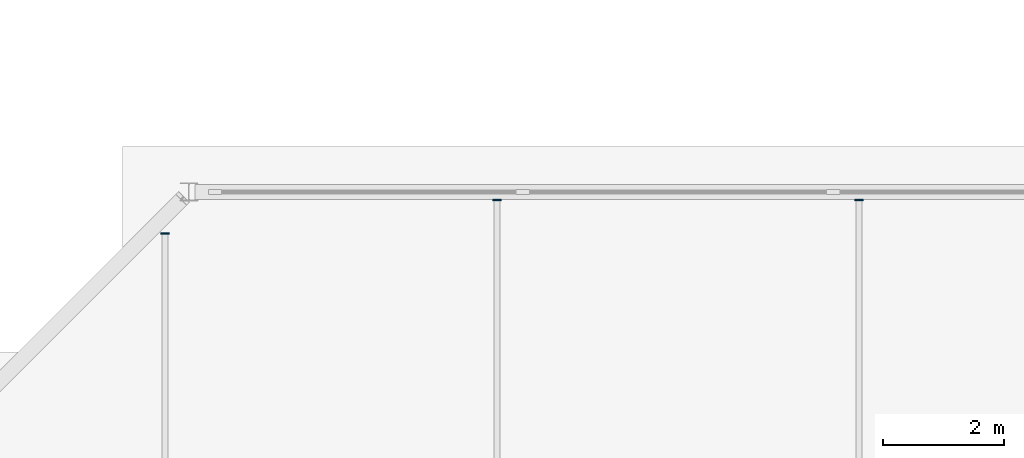
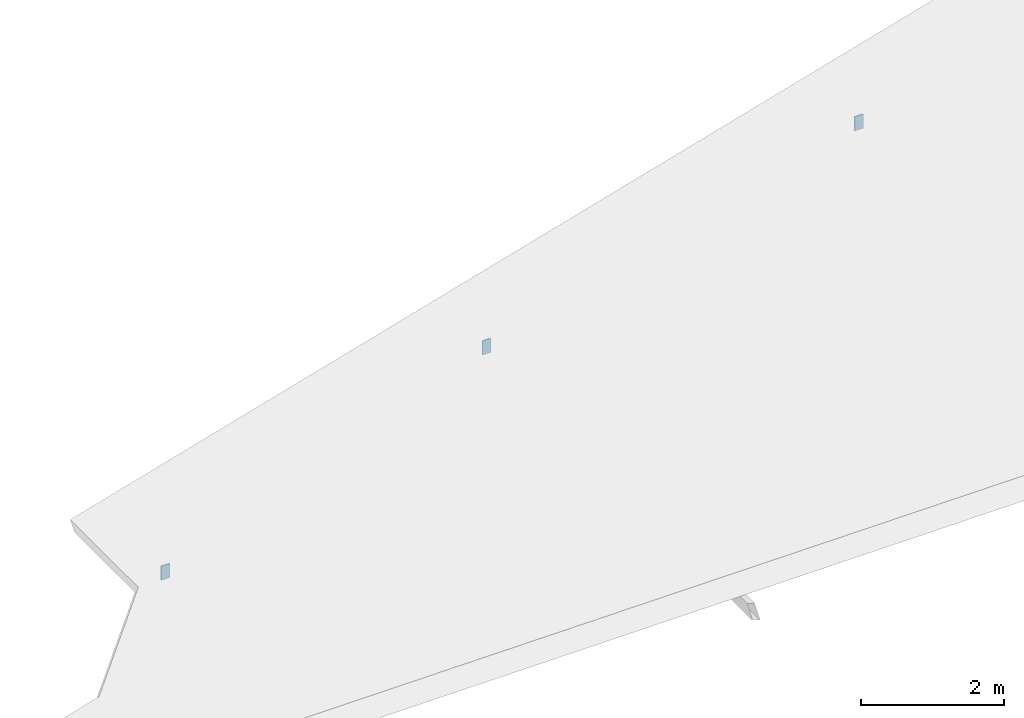
# One storey, part 18 of 28: 3 plates.
"""IFC4 building model written with IfcOpenShell, lengths in metres."""

import ifcopenshell
import ifcopenshell.guid

model = None  # the IFC model being written
_history = None  # IfcOwnerHistory: only IFC2X3 demands one
_inside = {}  # id of a spatial element -> (the spatial element, [elements in it])
_under = {}  # id of a project, library or spatial element -> (it, [spatial elements below it])
_declared = {}  # id of a project -> (the project, [libraries it declares])
_typed = {}  # id of a type object -> (the type object, [elements of that type])
_made_of = {}  # id of a material, layer set ... -> (it, [elements and type objects made of it])


def new_model(schema):
    """Start an empty IFC model of exactly this schema.

    Asked for "IFC4X3", IfcOpenShell would pick the latest addendum, in which some entities
    have other attributes; the version numbers below select the first issue.
    IFC2X3 requires an IfcOwnerHistory on every rooted entity: one is made here for all.
    """
    global model, _history
    if schema == "IFC4X3":
        model = ifcopenshell.file(schema_version=(4, 3, 0, 0))
    else:
        model = ifcopenshell.file(schema=schema)
    _inside.clear()
    _under.clear()
    _declared.clear()
    _typed.clear()
    _made_of.clear()
    _history = None
    if model.schema == "IFC2X3":
        org = make("IfcOrganization", Name="unknown")
        user = make(
            "IfcPersonAndOrganization",
            ThePerson=make("IfcPerson", FamilyName="unknown"),
            TheOrganization=org,
        )
        app = make(
            "IfcApplication",
            ApplicationDeveloper=org,
            Version="unknown",
            ApplicationFullName="unknown",
            ApplicationIdentifier="unknown",
        )
        _history = make(
            "IfcOwnerHistory",
            OwningUser=user,
            OwningApplication=app,
            ChangeAction="ADDED",
            CreationDate=0,
        )
    return model


def make(cls, **values):
    """One entity of the class cls with the attributes given. An attribute that is None is left unset."""
    return model.create_entity(
        cls, **{name: value for name, value in values.items() if value is not None}
    )


def rooted(cls, **values):
    """An entity with a GlobalId (a new one), such as an element, a storey or a relation."""
    return make(cls, GlobalId=ifcopenshell.guid.new(), OwnerHistory=_history, **values)


def si_unit(unit_type, name, prefix=None):
    """IfcSIUnit, for example si_unit("LENGTHUNIT", "METRE", prefix="MILLI")."""
    return make("IfcSIUnit", UnitType=unit_type, Prefix=prefix, Name=name)


def assignment(units):
    """IfcUnitAssignment: the units of a project."""
    return None if units is None else make("IfcUnitAssignment", Units=units)


def point(xyz):
    """IfcCartesianPoint."""
    return None if xyz is None else make("IfcCartesianPoint", Coordinates=xyz)


def direction(xyz):
    """IfcDirection."""
    return None if xyz is None else make("IfcDirection", DirectionRatios=xyz)


def frame(location, z_axis=None, x_axis=None):
    """IfcAxis2Placement3D, a coordinate frame: its origin and axes. An axis left out is left unset."""
    return make(
        "IfcAxis2Placement3D",
        Location=point(location),
        Axis=direction(z_axis),
        RefDirection=direction(x_axis),
    )


def frame_2d(location, x_axis=None):
    """IfcAxis2Placement2D, a coordinate frame in the plane: its origin and x axis."""
    return make(
        "IfcAxis2Placement2D", Location=point(location), RefDirection=direction(x_axis)
    )


def origin():
    """The frame at (0, 0, 0) with its axes left unset."""
    return frame((0.0, 0.0, 0.0))


def origin_2d():
    """The frame at (0, 0) in the plane with its x axis left unset."""
    return frame_2d((0.0, 0.0))


def place(relative_to, where):
    """IfcLocalPlacement: puts the frame where relative to a parent placement (None: the world)."""
    return make(
        "IfcLocalPlacement", PlacementRelTo=relative_to, RelativePlacement=where
    )


def context(
    kind, dimensions, precision=None, world=None, true_north=None, identifier=None
):
    """IfcGeometricRepresentationContext, for example the 3D "Model" context."""
    return make(
        "IfcGeometricRepresentationContext",
        ContextIdentifier=identifier,
        ContextType=kind,
        CoordinateSpaceDimension=dimensions,
        Precision=precision,
        WorldCoordinateSystem=world,
        TrueNorth=true_north,
    )


def subcontext(parent, identifier, kind, view, scale=None):
    """IfcGeometricRepresentationSubContext, for example "Body" below "Model"."""
    return make(
        "IfcGeometricRepresentationSubContext",
        ContextIdentifier=identifier,
        ContextType=kind,
        ParentContext=parent,
        TargetScale=scale,
        TargetView=view,
    )


def project(units=None, contexts=None):
    """IfcProject with its units and contexts."""
    return rooted(
        "IfcProject",
        Name="project",
        RepresentationContexts=contexts,
        UnitsInContext=assignment(units),
    )


def spatial(cls, under=None, at=None, **own):
    """A site, building, storey or space (cls), placed at a placement, below another one or the project."""
    s = rooted(cls, ObjectPlacement=at, **own)
    if under is not None:
        _under.setdefault(under.id(), (under, []))[1].append(s)
    return s


def profile(cls, at=None, kind="AREA", **sizes):
    """A parametric profile (cls). Its sizes go by their IFC names, for example OverallWidth=200.0."""
    return make(cls, ProfileType=kind, Position=at, **sizes)


def rectangle(**sizes):
    """IfcRectangleProfileDef."""
    return profile("IfcRectangleProfileDef", **sizes)


def extrude(swept, where, along, depth):
    """IfcExtrudedAreaSolid: the profile swept, set in the frame where, extruded along a direction by depth."""
    return make(
        "IfcExtrudedAreaSolid",
        SweptArea=swept,
        Position=where,
        ExtrudedDirection=direction(along),
        Depth=depth,
    )


def shape(context_of_items, identifier, shape_type, items):
    """IfcShapeRepresentation: the items that make up one representation, for example the "Body"."""
    return make(
        "IfcShapeRepresentation",
        ContextOfItems=context_of_items,
        RepresentationIdentifier=identifier,
        RepresentationType=shape_type,
        Items=items,
    )


def source(mapping_origin, context_of_items, identifier, shape_type, items):
    """IfcRepresentationMap: a shape defined once, which mapped items show again and again."""
    return make(
        "IfcRepresentationMap",
        MappingOrigin=mapping_origin,
        MappedRepresentation=shape(context_of_items, identifier, shape_type, items),
    )


def transform(
    local_origin,
    x_axis=None,
    y_axis=None,
    z_axis=None,
    scale=None,
    scale2=None,
    scale3=None,
    uniform=True,
):
    """IfcCartesianTransformationOperator3D, or its non-uniform kind. x_axis, y_axis, z_axis: its Axis1, 2, 3."""
    if uniform:
        return make(
            "IfcCartesianTransformationOperator3D",
            Axis1=direction(x_axis),
            Axis2=direction(y_axis),
            LocalOrigin=point(local_origin),
            Scale=scale,
            Axis3=direction(z_axis),
        )
    return make(
        "IfcCartesianTransformationOperator3DnonUniform",
        Axis1=direction(x_axis),
        Axis2=direction(y_axis),
        LocalOrigin=point(local_origin),
        Scale=scale,
        Axis3=direction(z_axis),
        Scale2=scale2,
        Scale3=scale3,
    )


def mapped(mapping_source, mapping_target):
    """IfcMappedItem: shows the shape of a source again, moved by a transform."""
    return make(
        "IfcMappedItem", MappingSource=mapping_source, MappingTarget=mapping_target
    )


def material(Name=None, Category=None):
    """IfcMaterial."""
    return make("IfcMaterial", Name=Name, Category=Category)


def layer(
    of_material, thickness, ventilated=None, Name=None, Category=None, Priority=None
):
    """IfcMaterialLayer: one layer of a wall or slab, of a material (None: an air gap)."""
    return make(
        "IfcMaterialLayer",
        Material=of_material,
        LayerThickness=thickness,
        IsVentilated=ventilated,
        Name=Name,
        Category=Category,
        Priority=Priority,
    )


def layer_set(layers, Name=None):
    """IfcMaterialLayerSet."""
    return make("IfcMaterialLayerSet", MaterialLayers=layers, LayerSetName=Name)


def made_of(thing, what):
    """Note that an element or type object is made of a material, layer set ...; save() writes the relation."""
    if what is not None:
        _made_of.setdefault(what.id(), (what, []))[1].append(thing)
    return thing


def type_object(cls, material=None, **own):
    """A type object (cls), such as IfcWallType, which elements share."""
    return made_of(rooted(cls, **own), material)


def element(
    cls,
    number,
    at=None,
    inside=None,
    cuts=None,
    type_object=None,
    material=None,
    context=None,
    identifier="Body",
    shape_type=None,
    held_by="IfcProductDefinitionShape",
    body=None,
    shapes=None,
    **own,
):
    """One element of the class cls, such as IfcWall. Its Tag is "e" and its number.

    at: its placement. inside: the storey or other place that contains it. cuts: it is an
    opening in that element (IfcRelVoidsElement). A single representation is given by context,
    identifier, shape_type and body (its items); several are given by shapes. held_by: the class
    of the entity that holds the representations. save() writes the other relations.
    """
    e = rooted(cls, Tag="e%d" % number, ObjectPlacement=at, **own)
    if body is not None:
        shapes = [shape(context, identifier, shape_type, body)]
    if shapes is not None:
        e.Representation = make(held_by, Representations=shapes)
    if inside is not None:
        _inside.setdefault(inside.id(), (inside, []))[1].append(e)
    if cuts is not None:
        rooted(
            "IfcRelVoidsElement", RelatingBuildingElement=cuts, RelatedOpeningElement=e
        )
    if type_object is not None:
        _typed.setdefault(type_object.id(), (type_object, []))[1].append(e)
    return made_of(e, material)


def aggregate(whole, parts):
    """IfcRelAggregates: a whole, such as a stair, and the parts it consists of."""
    return rooted("IfcRelAggregates", RelatingObject=whole, RelatedObjects=parts)


def save(model, path):
    """Write the relations noted so far, then the file.

    IfcRelAggregates (storeys below a building ...), IfcRelContainedInSpatialStructure (elements
    in a storey), IfcRelDefinesByType, IfcRelAssociatesMaterial and IfcRelDeclares: one each for
    every whole, place, type object, material and project.
    """
    for whole, parts in _under.values():
        aggregate(whole, parts)
    for where, things in _inside.values():
        rooted(
            "IfcRelContainedInSpatialStructure",
            RelatedElements=things,
            RelatingStructure=where,
        )
    for kind, things in _typed.values():
        rooted("IfcRelDefinesByType", RelatedObjects=things, RelatingType=kind)
    for what, things in _made_of.values():
        rooted("IfcRelAssociatesMaterial", RelatedObjects=things, RelatingMaterial=what)
    for by, libraries in _declared.values():
        rooted("IfcRelDeclares", RelatingContext=by, RelatedDefinitions=libraries)
    model.write(path)


model = new_model("IFC4")

# Units and contexts
model_context = context("Model", 3, precision=1e-05, world=origin(), true_north=direction((0.0, 1.0)))
body_context = subcontext(model_context, "Body", "Model", "MODEL_VIEW")
ifc_project = project(units=[si_unit("LENGTHUNIT", "METRE"), si_unit("AREAUNIT", "SQUARE_METRE"), si_unit("VOLUMEUNIT", "CUBIC_METRE"), si_unit("PLANEANGLEUNIT", "RADIAN"), si_unit("MASSUNIT", "GRAM", prefix="KILO"), si_unit("THERMODYNAMICTEMPERATUREUNIT", "KELVIN"), si_unit("POWERUNIT", "WATT")], contexts=[model_context])

# Site, building, storey
site_placement = place(None, origin())
site = spatial("IfcSite", under=ifc_project, at=site_placement, CompositionType="ELEMENT")
building_placement = place(site_placement, origin())
building = spatial("IfcBuilding", under=site, at=building_placement, Name="Qiaomeng Ring Towers", CompositionType="ELEMENT")
storey_placement = place(building_placement, frame((0.0, 0.0, 113.25)))
storey = spatial("IfcBuildingStorey", under=building, at=storey_placement, Name="L32", CompositionType="ELEMENT", Elevation=113.25)

# Plates
ifc_material = material(Name="Steel Q355B", Category="steel")
ifc_layer = layer(ifc_material, 0.02001953125, Name="Steel Q355B")
ifc_layer_set = layer_set([ifc_layer], Name="Steel Q355B")
plate_type = type_object("IfcPlateType", Name="STR-PL-CAP", PredefinedType="USERDEFINED", material=ifc_layer_set)
shared_shape = source(origin(), body_context, "Body", "SweptSolid", [
    extrude(rectangle(XDim=0.139892578125, YDim=0.02001953125, at=origin_2d()), origin(), (0.0, 0.0, 1.0), 0.239990234375),
])
for number, where, z_axis, x_axis, name in (
    (1, (52.0, 34.159912109375, 1.5458984375), (0.0, 0.0, 1.0), (1.0, 0.0, 0.0), "Companion Crown Roof Purlin 1 End Cap Plate N"),
    (2, (57.5, 34.715087890625, 3.123046875), (0.0, 0.0, 1.0), (1.0, 0.0, 0.0), "Companion Crown Roof Purlin 2 End Cap Plate N"),
    (3, (63.5, 34.715087890625, 4.84326171875), (0.0, 0.0, 1.0), (1.0, 0.0, 0.0), "Companion Crown Roof Purlin 3 End Cap Plate N"),
):
    element("IfcPlate", number, at=place(storey_placement, frame(where, z_axis=z_axis, x_axis=x_axis)), inside=storey, type_object=plate_type, Name=name, ObjectType="END CAP PLATE", PredefinedType="USERDEFINED", context=body_context, shape_type="MappedRepresentation", body=[
        mapped(shared_shape, transform((0.0, 0.0, 0.0), x_axis=(1.0, 0.0, 0.0), y_axis=(0.0, 1.0, 0.0), z_axis=(0.0, 0.0, 1.0), scale=1.0)),
    ])

save(model, "model.ifc")
